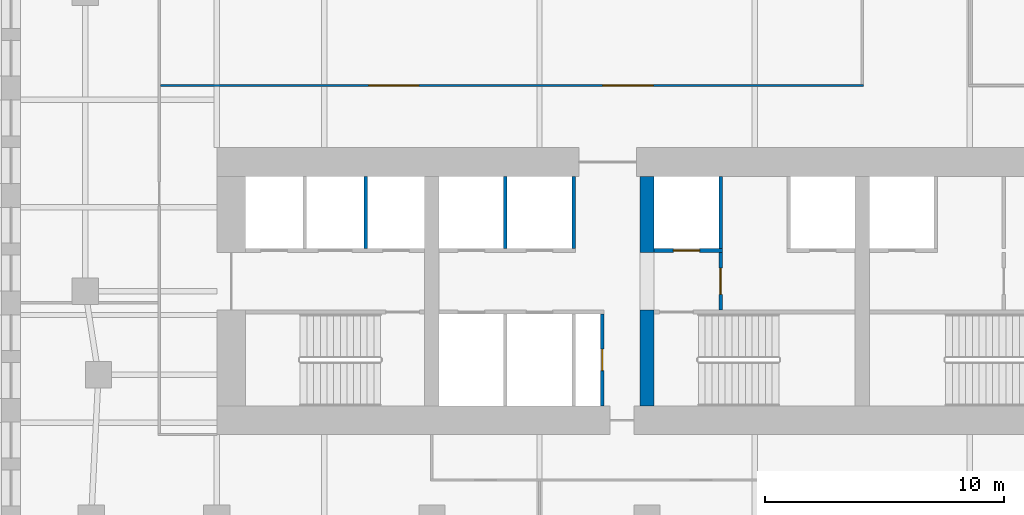
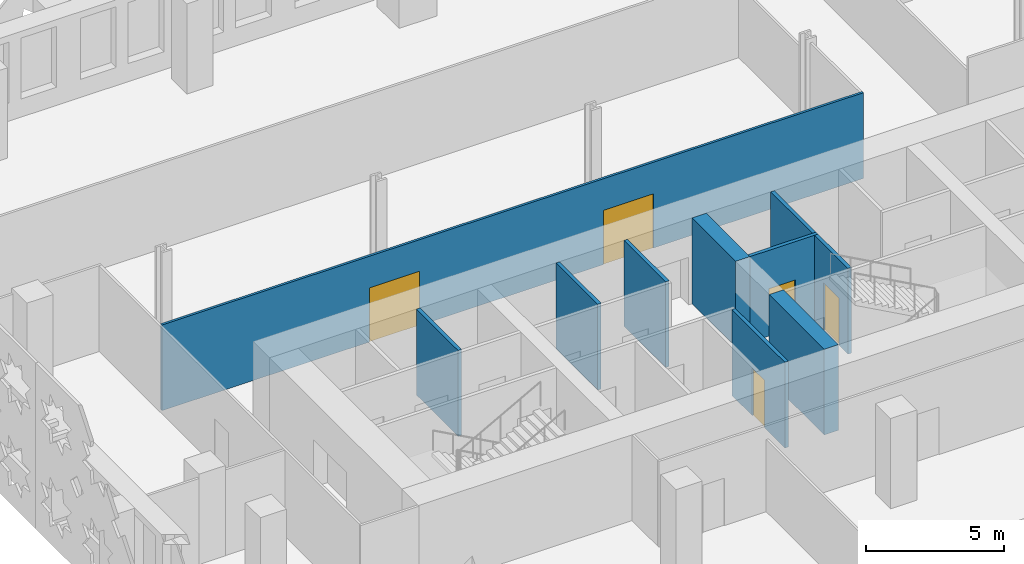
# One storey, part 4 of 15: 10 walls, 5 doors, 5 openings.
"""IFC4 building model written with IfcOpenShell, lengths in metres."""

from ifc_helpers import new_model, si_unit, direction, frame, frame_2d, origin, place, context, subcontext, project, spatial, rectangle, extrude, material, layer, layer_set, type_object, element, fill, save


model = new_model("IFC4")

# Units and contexts
model_context = context("Model", 3, precision=1e-05, world=origin(), true_north=direction((0.0, 1.0)))
body_context = subcontext(model_context, "Body", "Model", "MODEL_VIEW")
ifc_project = project(units=[si_unit("LENGTHUNIT", "METRE"), si_unit("AREAUNIT", "SQUARE_METRE"), si_unit("VOLUMEUNIT", "CUBIC_METRE"), si_unit("PLANEANGLEUNIT", "RADIAN"), si_unit("MASSUNIT", "GRAM", prefix="KILO")], contexts=[model_context])

# Site, building, storey
site_placement = place(None, origin())
site = spatial("IfcSite", under=ifc_project, at=site_placement, CompositionType="ELEMENT")
building_placement = place(site_placement, origin())
building = spatial("IfcBuilding", under=site, at=building_placement, Name="Zellij Exchange Tower", CompositionType="ELEMENT")
storey_placement = place(building_placement, frame((0.0, 0.0, 84.5)))
storey = spatial("IfcBuildingStorey", under=building, at=storey_placement, Name="L17", CompositionType="ELEMENT", Elevation=84.5)

# Walls
ifc_material_1 = material(Name="Concrete C70/85", Category="concrete")
ifc_layer_1 = layer(ifc_material_1, 0.60009765625)
ifc_layer_set_1 = layer_set([ifc_layer_1], Name="Concrete C70/85")
wall_type_1 = type_object("IfcWallType", Name="CORE-CW 600 C70/85", PredefinedType="SHEAR", material=ifc_layer_set_1)
wall_1_placement = place(storey_placement, frame((-9.0, -12.800048828125, 0.0), z_axis=(0.0, 0.0, 1.0), x_axis=(0.0, 1.0, 0.0)))
element("IfcWall", 1, at=wall_1_placement, inside=storey, type_object=wall_type_1, Name="Core cross wall pier x -9 a L17", PredefinedType="SHEAR", context=body_context, shape_type="SweptSolid", body=[
    extrude(rectangle(XDim=4.0, YDim=0.60009765625, at=frame_2d((2.0, 0.0))), origin(), (0.0, 0.0, 1.0), 3.800048828125),
])
wall_2_placement = place(storey_placement, frame((-9.0, -6.375, 0.0), z_axis=(0.0, 0.0, 1.0), x_axis=(0.0, 1.0, 0.0)))
element("IfcWall", 2, at=wall_2_placement, inside=storey, type_object=wall_type_1, Name="Core cross wall pier x -9 b L17", PredefinedType="SHEAR", context=body_context, shape_type="SweptSolid", body=[
    extrude(rectangle(XDim=3.175048828125, YDim=0.60009765625, at=frame_2d((1.58740234375, 0.0))), origin(), (0.0, 0.0, 1.0), 3.800048828125),
])

# Wall, opening, door
ifc_material_2 = material(Name="Gypsum shaft wall system")
ifc_layer_2 = layer(ifc_material_2, 0.14990234375)
ifc_layer_set_2 = layer_set([ifc_layer_2], Name="Gypsum shaft wall system")
wall_type_2 = type_object("IfcWallType", Name="CORE-PW 150 Firefighting lobby wall", PredefinedType="PARTITIONING", material=ifc_layer_set_2)
wall_3_placement = place(storey_placement, frame((-5.925048828125, -8.800048828125, 0.0), z_axis=(0.0, 0.0, 1.0), x_axis=(0.0, 1.0, 0.0)))
wall_3 = element("IfcWall", 3, at=wall_3_placement, inside=storey, type_object=wall_type_2, Name="Firefighting lobby wall L17", PredefinedType="PARTITIONING", context=body_context, shape_type="SweptSolid", body=[
    extrude(rectangle(XDim=2.425048828125, YDim=0.14990234375, at=frame_2d((1.21240234375, 0.0))), origin(), (0.0, 0.0, 1.0), 3.800048828125),
])
opening_1_placement = place(wall_3_placement, frame((0.662109375, 0.0, 0.0)))
opening_1 = element("IfcOpeningElement", 4, at=opening_1_placement, cuts=wall_3, Name="Opening CA-09.15", PredefinedType="OPENING", context=body_context, shape_type="SweptSolid", body=[
    extrude(rectangle(XDim=1.10009765625, YDim=2.10009765625, at=frame_2d((0.550048828125, 1.050048828125))), frame((0.0, 0.0869140625, 0.0), z_axis=(0.0, -1.0, 0.0), x_axis=(1.0, 0.0, 0.0)), (0.0, 0.0, 1.0), 0.173828125),
])
ifc_material_3 = material(Name="Hollow metal fire door")
door_type_1 = type_object("IfcDoorType", Name="CORE-D F Firefighting lobby door 1100x2100 1 HR", OperationType="NOTDEFINED", PredefinedType="DOOR", material=ifc_material_3)
door_1_placement = place(opening_1_placement, origin())
door_1 = element("IfcDoor", 5, at=door_1_placement, inside=storey, type_object=door_type_1, Name="Firefighting lobby door CA-09.15", OperationType="SINGLE_SWING_LEFT", OverallHeight=2.10009765625, OverallWidth=1.10009765625, PredefinedType="DOOR", context=body_context, shape_type="SweptSolid", body=[
    extrude(rectangle(XDim=1.10009765625, YDim=2.10009765625, at=frame_2d((0.550048828125, 1.050048828125))), frame((0.0, 0.02490234375, 0.0), z_axis=(0.0, -1.0, 0.0), x_axis=(1.0, 0.0, 0.0)), (0.0, 0.0, 1.0), 0.050048828125),
])
fill(opening_1, door_1)

ifc_material_4 = material(Name="Gypsum board partition")
ifc_layer_3 = layer(ifc_material_4, 0.14990234375)
ifc_layer_set_3 = layer_set([ifc_layer_3], Name="Gypsum board partition")
wall_type_3 = type_object("IfcWallType", Name="CORE-PW 150 Lift lobby wall", PredefinedType="PARTITIONING", material=ifc_layer_set_3)
wall_4_placement = place(storey_placement, frame((-10.875, -12.800048828125, 0.0), z_axis=(0.0, 0.0, 1.0), x_axis=(0.0, 1.0, 0.0)))
wall_4 = element("IfcWall", 6, at=wall_4_placement, inside=storey, type_object=wall_type_3, Name="Lift lobby wall L17", PredefinedType="PARTITIONING", context=body_context, shape_type="SweptSolid", body=[
    extrude(rectangle(XDim=3.85009765625, YDim=0.14990234375, at=frame_2d((1.925048828125, 0.0))), origin(), (0.0, 0.0, 1.0), 3.800048828125),
])
opening_2_placement = place(wall_4_placement, frame((1.47509765625, 0.0, 0.0)))
opening_2 = element("IfcOpeningElement", 7, at=opening_2_placement, cuts=wall_4, Name="Opening CA-09.10", PredefinedType="OPENING", context=body_context, shape_type="SweptSolid", body=[
    extrude(rectangle(XDim=0.89990234375, YDim=2.10009765625, at=frame_2d((0.449951171875, 1.050048828125))), frame((0.0, 0.0869140625, 0.0), z_axis=(0.0, -1.0, 0.0), x_axis=(1.0, 0.0, 0.0)), (0.0, 0.0, 1.0), 0.173828125),
])
door_type_2 = type_object("IfcDoorType", Name="CORE-D RD Riser door 900x2100 1.5 HR", OperationType="NOTDEFINED", PredefinedType="DOOR", material=ifc_material_3)
door_2_placement = place(opening_2_placement, origin())
door_2 = element("IfcDoor", 8, at=door_2_placement, inside=storey, type_object=door_type_2, Name="Riser door CA-09.10", OperationType="SINGLE_SWING_RIGHT", OverallHeight=2.10009765625, OverallWidth=0.89990234375, PredefinedType="DOOR", context=body_context, shape_type="SweptSolid", body=[
    extrude(rectangle(XDim=0.89990234375, YDim=2.10009765625, at=frame_2d((0.449951171875, 1.050048828125))), frame((0.0, 0.02490234375, 0.0), z_axis=(0.0, -1.0, 0.0), x_axis=(1.0, 0.0, 0.0)), (0.0, 0.0, 1.0), 0.050048828125),
])
fill(opening_2, door_2)

# Walls
ifc_layer_4 = layer(ifc_material_2, 0.14990234375)
ifc_layer_set_4 = layer_set([ifc_layer_4], Name="Gypsum shaft wall system")
wall_type_4 = type_object("IfcWallType", Name="CORE-PW 150 Lift shaft wall", PredefinedType="PARTITIONING", material=ifc_layer_set_4)
for number, where, z_axis, x_axis, name in (
    (9, (-20.77490234375, -6.22509765625, 0.0), (0.0, 0.0, 1.0), (0.0, 1.0, 0.0), "Lift shaft wall L17"),
    (10, (-12.074951171875, -6.22509765625, 0.0), (0.0, 0.0, 1.0), (0.0, 1.0, 0.0), "Lift shaft wall L17"),
    (11, (-14.925048828125, -6.22509765625, 0.0), (0.0, 0.0, 1.0), (0.0, 1.0, 0.0), "Lift shaft wall L17"),
    (12, (-5.925048828125, -6.22509765625, 0.0), (0.0, 0.0, 1.0), (0.0, 1.0, 0.0), "Lift shaft wall L17"),
):
    element("IfcWall", number, at=place(storey_placement, frame(where, z_axis=z_axis, x_axis=x_axis)), inside=storey, type_object=wall_type_4, Name=name, PredefinedType="PARTITIONING", context=body_context, shape_type="SweptSolid", body=[
        extrude(rectangle(XDim=3.025146484375, YDim=0.14990234375, at=frame_2d((1.5126953125, 0.0))), origin(), (0.0, 0.0, 1.0), 3.800048828125),
    ])

# Wall, opening, door
wall_5_placement = place(storey_placement, frame((-8.699951171875, -6.300048828125, 0.0), z_axis=(0.0, 0.0, 1.0), x_axis=(1.0, 0.0, 0.0)))
wall_5 = element("IfcWall", 13, at=wall_5_placement, inside=storey, type_object=wall_type_4, Name="Lift shaft wall L17", PredefinedType="PARTITIONING", context=body_context, shape_type="SweptSolid", body=[
    extrude(rectangle(XDim=2.849853515625, YDim=0.14990234375, at=frame_2d((1.4248046875, 0.0))), origin(), (0.0, 0.0, 1.0), 3.800048828125),
])
opening_3_placement = place(wall_5_placement, frame((0.800048828125, 0.0, 0.0)))
opening_3 = element("IfcOpeningElement", 14, at=opening_3_placement, cuts=wall_5, Name="Opening CA-09.14", PredefinedType="OPENING", context=body_context, shape_type="SweptSolid", body=[
    extrude(rectangle(XDim=1.10009765625, YDim=2.10009765625, at=frame_2d((0.550048828125, 1.050048828125))), frame((0.0, 0.0869140625, 0.0), z_axis=(0.0, -1.0, 0.0), x_axis=(1.0, 0.0, 0.0)), (0.0, 0.0, 1.0), 0.173828125),
])
door_type_3 = type_object("IfcDoorType", Name="CORE-D LD Lift landing door 1100x2100 1.5 HR", OperationType="NOTDEFINED", PredefinedType="DOOR", material=ifc_material_3)
door_3_placement = place(opening_3_placement, origin())
door_3 = element("IfcDoor", 15, at=door_3_placement, inside=storey, type_object=door_type_3, Name="Lift landing door CA-09.14", OperationType="SLIDING_TO_RIGHT", OverallHeight=2.10009765625, OverallWidth=1.10009765625, PredefinedType="DOOR", context=body_context, shape_type="SweptSolid", body=[
    extrude(rectangle(XDim=1.10009765625, YDim=2.10009765625, at=frame_2d((0.550048828125, 1.050048828125))), frame((0.0, 0.02490234375, 0.0), z_axis=(0.0, -1.0, 0.0), x_axis=(1.0, 0.0, 0.0)), (0.0, 0.0, 1.0), 0.050048828125),
])
fill(opening_3, door_3)

# Wall, openings, doors
ifc_material_5 = material(Name="Gypsum board partition on steel studs", Category="steel")
ifc_layer_5 = layer(ifc_material_5, 0.10009765625)
ifc_layer_set_5 = layer_set([ifc_layer_5], Name="Gypsum board partition on steel studs")
wall_type_5 = type_object("IfcWallType", Name="FIT-PARTITION-100", PredefinedType="PARTITIONING", material=ifc_layer_set_5)
wall_6_placement = place(storey_placement, frame((-29.35009765625, 0.60009765625, 0.0), z_axis=(0.0, 0.0, 1.0), x_axis=(1.0, 0.0, 0.0)))
wall_6 = element("IfcWall", 16, at=wall_6_placement, inside=storey, type_object=wall_type_5, Name="FIT-PARTITION-100 021", PredefinedType="PARTITIONING", context=body_context, shape_type="SweptSolid", body=[
    extrude(rectangle(XDim=29.400146484375, YDim=0.10009765625, at=frame_2d((14.7001953125, 0.0))), origin(), (0.0, 0.0, 1.0), 3.800048828125),
])
opening_4_placement = place(wall_6_placement, frame((8.699951171875, 0.0, 0.0)))
opening_4 = element("IfcOpeningElement", 17, at=opening_4_placement, cuts=wall_6, Name="Opening TC.09", PredefinedType="OPENING", context=body_context, shape_type="SweptSolid", body=[
    extrude(rectangle(XDim=2.10009765625, YDim=2.39990234375, at=frame_2d((1.050048828125, 1.199951171875))), frame((0.0, 0.06201171875, 0.0), z_axis=(0.0, -1.0, 0.0), x_axis=(1.0, 0.0, 0.0)), (0.0, 0.0, 1.0), 0.1240234375),
])
opening_5_placement = place(wall_6_placement, frame((18.5, 0.0, 0.0)))
opening_5 = element("IfcOpeningElement", 18, at=opening_5_placement, cuts=wall_6, Name="Opening TC.10", PredefinedType="OPENING", context=body_context, shape_type="SweptSolid", body=[
    extrude(rectangle(XDim=2.10009765625, YDim=2.39990234375, at=frame_2d((1.050048828125, 1.199951171875))), frame((0.0, 0.06201171875, 0.0), z_axis=(0.0, -1.0, 0.0), x_axis=(1.0, 0.0, 0.0)), (0.0, 0.0, 1.0), 0.1240234375),
])
ifc_material_6 = material(Name="Timber door set", Category="wood")
door_type_4 = type_object("IfcDoorType", Name="FIT-D7-ASSEMBLY-2100X2400", OperationType="DOUBLE_DOOR_SINGLE_SWING", PredefinedType="DOOR", material=ifc_material_6)
door_4_placement = place(opening_4_placement, origin())
door_4 = element("IfcDoor", 19, at=door_4_placement, inside=storey, type_object=door_type_4, Name="Door TC.09", OperationType="DOUBLE_DOOR_SINGLE_SWING", OverallHeight=2.39990234375, OverallWidth=2.10009765625, PredefinedType="DOOR", context=body_context, shape_type="SweptSolid", body=[
    extrude(rectangle(XDim=2.10009765625, YDim=2.39990234375, at=frame_2d((1.050048828125, 1.199951171875))), frame((0.0, 0.02490234375, 0.0), z_axis=(0.0, -1.0, 0.0), x_axis=(1.0, 0.0, 0.0)), (0.0, 0.0, 1.0), 0.050048828125),
])
fill(opening_4, door_4)
door_5_placement = place(opening_5_placement, origin())
door_5 = element("IfcDoor", 20, at=door_5_placement, inside=storey, type_object=door_type_4, Name="Door TC.10", OperationType="DOUBLE_DOOR_SINGLE_SWING", OverallHeight=2.39990234375, OverallWidth=2.10009765625, PredefinedType="DOOR", context=body_context, shape_type="SweptSolid", body=[
    extrude(rectangle(XDim=2.10009765625, YDim=2.39990234375, at=frame_2d((1.050048828125, 1.199951171875))), frame((0.0, 0.02490234375, 0.0), z_axis=(0.0, -1.0, 0.0), x_axis=(1.0, 0.0, 0.0)), (0.0, 0.0, 1.0), 0.050048828125),
])
fill(opening_5, door_5)

save(model, "model.ifc")
